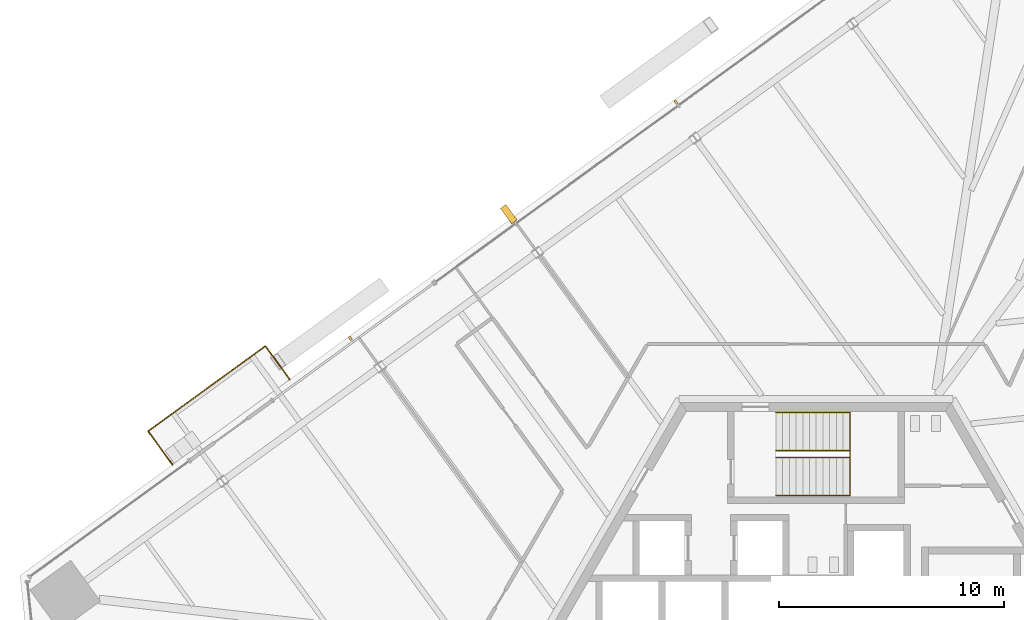
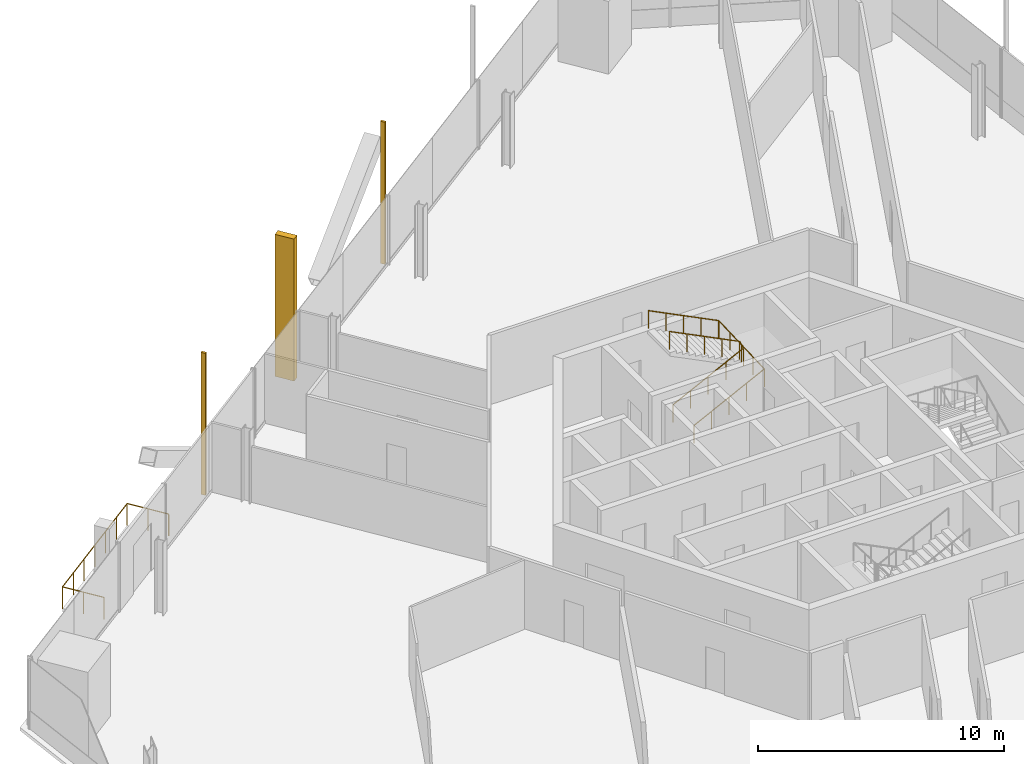
# One storey, part 17 of 21: 3 railings, 3 shading devices.
"""IFC4 building model written with IfcOpenShell, lengths in metres."""

import ifcopenshell
import ifcopenshell.guid

model = None  # the IFC model being written
_history = None  # IfcOwnerHistory: only IFC2X3 demands one
_inside = {}  # id of a spatial element -> (the spatial element, [elements in it])
_under = {}  # id of a project, library or spatial element -> (it, [spatial elements below it])
_declared = {}  # id of a project -> (the project, [libraries it declares])
_typed = {}  # id of a type object -> (the type object, [elements of that type])
_made_of = {}  # id of a material, layer set ... -> (it, [elements and type objects made of it])


def new_model(schema):
    """Start an empty IFC model of exactly this schema.

    Asked for "IFC4X3", IfcOpenShell would pick the latest addendum, in which some entities
    have other attributes; the version numbers below select the first issue.
    IFC2X3 requires an IfcOwnerHistory on every rooted entity: one is made here for all.
    """
    global model, _history
    if schema == "IFC4X3":
        model = ifcopenshell.file(schema_version=(4, 3, 0, 0))
    else:
        model = ifcopenshell.file(schema=schema)
    _inside.clear()
    _under.clear()
    _declared.clear()
    _typed.clear()
    _made_of.clear()
    _history = None
    if model.schema == "IFC2X3":
        org = make("IfcOrganization", Name="unknown")
        user = make(
            "IfcPersonAndOrganization",
            ThePerson=make("IfcPerson", FamilyName="unknown"),
            TheOrganization=org,
        )
        app = make(
            "IfcApplication",
            ApplicationDeveloper=org,
            Version="unknown",
            ApplicationFullName="unknown",
            ApplicationIdentifier="unknown",
        )
        _history = make(
            "IfcOwnerHistory",
            OwningUser=user,
            OwningApplication=app,
            ChangeAction="ADDED",
            CreationDate=0,
        )
    return model


def make(cls, **values):
    """One entity of the class cls with the attributes given. An attribute that is None is left unset."""
    return model.create_entity(
        cls, **{name: value for name, value in values.items() if value is not None}
    )


def rooted(cls, **values):
    """An entity with a GlobalId (a new one), such as an element, a storey or a relation."""
    return make(cls, GlobalId=ifcopenshell.guid.new(), OwnerHistory=_history, **values)


def si_unit(unit_type, name, prefix=None):
    """IfcSIUnit, for example si_unit("LENGTHUNIT", "METRE", prefix="MILLI")."""
    return make("IfcSIUnit", UnitType=unit_type, Prefix=prefix, Name=name)


def assignment(units):
    """IfcUnitAssignment: the units of a project."""
    return None if units is None else make("IfcUnitAssignment", Units=units)


def point(xyz):
    """IfcCartesianPoint."""
    return None if xyz is None else make("IfcCartesianPoint", Coordinates=xyz)


def direction(xyz):
    """IfcDirection."""
    return None if xyz is None else make("IfcDirection", DirectionRatios=xyz)


def frame(location, z_axis=None, x_axis=None):
    """IfcAxis2Placement3D, a coordinate frame: its origin and axes. An axis left out is left unset."""
    return make(
        "IfcAxis2Placement3D",
        Location=point(location),
        Axis=direction(z_axis),
        RefDirection=direction(x_axis),
    )


def frame_2d(location, x_axis=None):
    """IfcAxis2Placement2D, a coordinate frame in the plane: its origin and x axis."""
    return make(
        "IfcAxis2Placement2D", Location=point(location), RefDirection=direction(x_axis)
    )


def origin():
    """The frame at (0, 0, 0) with its axes left unset."""
    return frame((0.0, 0.0, 0.0))


def origin_2d():
    """The frame at (0, 0) in the plane with its x axis left unset."""
    return frame_2d((0.0, 0.0))


def place(relative_to, where):
    """IfcLocalPlacement: puts the frame where relative to a parent placement (None: the world)."""
    return make(
        "IfcLocalPlacement", PlacementRelTo=relative_to, RelativePlacement=where
    )


def context(
    kind, dimensions, precision=None, world=None, true_north=None, identifier=None
):
    """IfcGeometricRepresentationContext, for example the 3D "Model" context."""
    return make(
        "IfcGeometricRepresentationContext",
        ContextIdentifier=identifier,
        ContextType=kind,
        CoordinateSpaceDimension=dimensions,
        Precision=precision,
        WorldCoordinateSystem=world,
        TrueNorth=true_north,
    )


def subcontext(parent, identifier, kind, view, scale=None):
    """IfcGeometricRepresentationSubContext, for example "Body" below "Model"."""
    return make(
        "IfcGeometricRepresentationSubContext",
        ContextIdentifier=identifier,
        ContextType=kind,
        ParentContext=parent,
        TargetScale=scale,
        TargetView=view,
    )


def project(units=None, contexts=None):
    """IfcProject with its units and contexts."""
    return rooted(
        "IfcProject",
        Name="project",
        RepresentationContexts=contexts,
        UnitsInContext=assignment(units),
    )


def spatial(cls, under=None, at=None, **own):
    """A site, building, storey or space (cls), placed at a placement, below another one or the project."""
    s = rooted(cls, ObjectPlacement=at, **own)
    if under is not None:
        _under.setdefault(under.id(), (under, []))[1].append(s)
    return s


def profile(cls, at=None, kind="AREA", **sizes):
    """A parametric profile (cls). Its sizes go by their IFC names, for example OverallWidth=200.0."""
    return make(cls, ProfileType=kind, Position=at, **sizes)


def rectangle(**sizes):
    """IfcRectangleProfileDef."""
    return profile("IfcRectangleProfileDef", **sizes)


def circle(**sizes):
    """IfcCircleProfileDef."""
    return profile("IfcCircleProfileDef", **sizes)


def extrude(swept, where, along, depth):
    """IfcExtrudedAreaSolid: the profile swept, set in the frame where, extruded along a direction by depth."""
    return make(
        "IfcExtrudedAreaSolid",
        SweptArea=swept,
        Position=where,
        ExtrudedDirection=direction(along),
        Depth=depth,
    )


def shape(context_of_items, identifier, shape_type, items):
    """IfcShapeRepresentation: the items that make up one representation, for example the "Body"."""
    return make(
        "IfcShapeRepresentation",
        ContextOfItems=context_of_items,
        RepresentationIdentifier=identifier,
        RepresentationType=shape_type,
        Items=items,
    )


def source(mapping_origin, context_of_items, identifier, shape_type, items):
    """IfcRepresentationMap: a shape defined once, which mapped items show again and again."""
    return make(
        "IfcRepresentationMap",
        MappingOrigin=mapping_origin,
        MappedRepresentation=shape(context_of_items, identifier, shape_type, items),
    )


def transform(
    local_origin,
    x_axis=None,
    y_axis=None,
    z_axis=None,
    scale=None,
    scale2=None,
    scale3=None,
    uniform=True,
):
    """IfcCartesianTransformationOperator3D, or its non-uniform kind. x_axis, y_axis, z_axis: its Axis1, 2, 3."""
    if uniform:
        return make(
            "IfcCartesianTransformationOperator3D",
            Axis1=direction(x_axis),
            Axis2=direction(y_axis),
            LocalOrigin=point(local_origin),
            Scale=scale,
            Axis3=direction(z_axis),
        )
    return make(
        "IfcCartesianTransformationOperator3DnonUniform",
        Axis1=direction(x_axis),
        Axis2=direction(y_axis),
        LocalOrigin=point(local_origin),
        Scale=scale,
        Axis3=direction(z_axis),
        Scale2=scale2,
        Scale3=scale3,
    )


def mapped(mapping_source, mapping_target):
    """IfcMappedItem: shows the shape of a source again, moved by a transform."""
    return make(
        "IfcMappedItem", MappingSource=mapping_source, MappingTarget=mapping_target
    )


def material(Name=None, Category=None):
    """IfcMaterial."""
    return make("IfcMaterial", Name=Name, Category=Category)


def made_of(thing, what):
    """Note that an element or type object is made of a material, layer set ...; save() writes the relation."""
    if what is not None:
        _made_of.setdefault(what.id(), (what, []))[1].append(thing)
    return thing


def type_object(cls, material=None, **own):
    """A type object (cls), such as IfcWallType, which elements share."""
    return made_of(rooted(cls, **own), material)


def element(
    cls,
    number,
    at=None,
    inside=None,
    cuts=None,
    type_object=None,
    material=None,
    context=None,
    identifier="Body",
    shape_type=None,
    held_by="IfcProductDefinitionShape",
    body=None,
    shapes=None,
    **own,
):
    """One element of the class cls, such as IfcWall. Its Tag is "e" and its number.

    at: its placement. inside: the storey or other place that contains it. cuts: it is an
    opening in that element (IfcRelVoidsElement). A single representation is given by context,
    identifier, shape_type and body (its items); several are given by shapes. held_by: the class
    of the entity that holds the representations. save() writes the other relations.
    """
    e = rooted(cls, Tag="e%d" % number, ObjectPlacement=at, **own)
    if body is not None:
        shapes = [shape(context, identifier, shape_type, body)]
    if shapes is not None:
        e.Representation = make(held_by, Representations=shapes)
    if inside is not None:
        _inside.setdefault(inside.id(), (inside, []))[1].append(e)
    if cuts is not None:
        rooted(
            "IfcRelVoidsElement", RelatingBuildingElement=cuts, RelatedOpeningElement=e
        )
    if type_object is not None:
        _typed.setdefault(type_object.id(), (type_object, []))[1].append(e)
    return made_of(e, material)


def aggregate(whole, parts):
    """IfcRelAggregates: a whole, such as a stair, and the parts it consists of."""
    return rooted("IfcRelAggregates", RelatingObject=whole, RelatedObjects=parts)


def save(model, path):
    """Write the relations noted so far, then the file.

    IfcRelAggregates (storeys below a building ...), IfcRelContainedInSpatialStructure (elements
    in a storey), IfcRelDefinesByType, IfcRelAssociatesMaterial and IfcRelDeclares: one each for
    every whole, place, type object, material and project.
    """
    for whole, parts in _under.values():
        aggregate(whole, parts)
    for where, things in _inside.values():
        rooted(
            "IfcRelContainedInSpatialStructure",
            RelatedElements=things,
            RelatingStructure=where,
        )
    for kind, things in _typed.values():
        rooted("IfcRelDefinesByType", RelatedObjects=things, RelatingType=kind)
    for what, things in _made_of.values():
        rooted("IfcRelAssociatesMaterial", RelatedObjects=things, RelatingMaterial=what)
    for by, libraries in _declared.values():
        rooted("IfcRelDeclares", RelatingContext=by, RelatedDefinitions=libraries)
    model.write(path)


model = new_model("IFC4")

# Units and contexts
model_context = context("Model", 3, precision=1e-05, world=origin(), true_north=direction((0.0, 1.0)))
body_context = subcontext(model_context, "Body", "Model", "MODEL_VIEW")
ifc_project = project(units=[si_unit("LENGTHUNIT", "METRE"), si_unit("AREAUNIT", "SQUARE_METRE"), si_unit("VOLUMEUNIT", "CUBIC_METRE"), si_unit("PLANEANGLEUNIT", "RADIAN"), si_unit("MASSUNIT", "GRAM", prefix="KILO")], contexts=[model_context])

# Site, building, storey
site_placement = place(None, origin())
site = spatial("IfcSite", under=ifc_project, at=site_placement, CompositionType="ELEMENT")
building_placement = place(site_placement, origin())
building = spatial("IfcBuilding", under=site, at=building_placement, Name="Triune Harvest Tower", CompositionType="ELEMENT")
storey_placement = place(building_placement, frame((0.0, 0.0, 80.10009765625)))
storey = spatial("IfcBuildingStorey", under=building, at=storey_placement, Name="L19", CompositionType="ELEMENT", Elevation=80.10009765625)

# Railings
ifc_material_1 = material(Name="Glass", Category="glass")
railing_type_1 = type_object("IfcRailingType", Name="GD-2 balcony guard 1100", PredefinedType="GUARDRAIL", material=ifc_material_1)
railing_1_placement = place(storey_placement, frame((-23.422607421875, 11.4091796875, 0.0)))
element("IfcRailing", 1, at=railing_1_placement, inside=storey, type_object=railing_type_1, Name="Balcony guard B2-F3 L19.10", PredefinedType="GUARDRAIL", context=body_context, shape_type="SweptSolid", body=[
    extrude(circle(Radius=0.02392578125, at=origin_2d()), frame((0.0, 0.0, 1.076171875), z_axis=(-0.587841163615, 0.808976369469, 0.0), x_axis=(-0.808976369469, -0.587841163615, 0.0)), (0.0, 0.0, 1.0), 1.8447265625),
    extrude(circle(Radius=0.02392578125, at=origin_2d()), frame((-1.08447265625, 1.492431640625, 1.076171875), z_axis=(-0.809010715799, -0.587793893913, 0.0), x_axis=(0.587793893913, -0.809010715799, 0.0)), (0.0, 0.0, 1.0), 6.456298828125),
    extrude(circle(Radius=0.02392578125, at=origin_2d()), frame((-6.3076171875, -2.302490234375, 1.076171875), z_axis=(0.587754546485, -0.809039302559, 0.0), x_axis=(0.809039302559, 0.587754546485, 0.0)), (0.0, 0.0, 1.0), 1.8447265625),
    extrude(circle(Radius=0.02099609375, at=origin_2d()), origin(), (0.0, 0.0, 1.0), 1.052001953125),
    extrude(circle(Radius=0.02099609375, at=origin_2d()), frame((-0.542236328125, 0.74609375, 0.0)), (0.0, 0.0, 1.0), 1.052001953125),
    extrude(circle(Radius=0.02099609375, at=origin_2d()), frame((-1.08447265625, 1.492431640625, 0.0)), (0.0, 0.0, 1.0), 1.052001953125),
    extrude(circle(Radius=0.02099609375, at=origin_2d()), frame((-1.955078125, 0.85986328125, 0.0)), (0.0, 0.0, 1.0), 1.052001953125),
    extrude(circle(Radius=0.02099609375, at=origin_2d()), frame((-2.825439453125, 0.2275390625, 0.0)), (0.0, 0.0, 1.0), 1.052001953125),
    extrude(circle(Radius=0.02099609375, at=origin_2d()), frame((-3.696044921875, -0.405029296875, 0.0)), (0.0, 0.0, 1.0), 1.052001953125),
    extrude(circle(Radius=0.02099609375, at=origin_2d()), frame((-4.566650390625, -1.03759765625, 0.0)), (0.0, 0.0, 1.0), 1.052001953125),
    extrude(circle(Radius=0.02099609375, at=origin_2d()), frame((-5.43701171875, -1.669921875, 0.0)), (0.0, 0.0, 1.0), 1.052001953125),
    extrude(circle(Radius=0.02099609375, at=origin_2d()), frame((-6.3076171875, -2.302490234375, 0.0)), (0.0, 0.0, 1.0), 1.052001953125),
    extrude(circle(Radius=0.02099609375, at=origin_2d()), frame((-5.765625, -3.048828125, 0.0)), (0.0, 0.0, 1.0), 1.052001953125),
    extrude(circle(Radius=0.02099609375, at=origin_2d()), frame((-5.223388671875, -3.794921875, 0.0)), (0.0, 0.0, 1.0), 1.052001953125),
])
ifc_material_2 = material(Name="Stainless steel AISI 316", Category="steel")
railing_type_2 = type_object("IfcRailingType", Name="Stair handrail", PredefinedType="HANDRAIL", material=ifc_material_2)
shared_shape_1 = source(origin(), body_context, "Body", "SweptSolid", [
    extrude(circle(Radius=0.02392578125, at=origin_2d()), frame((0.0, 0.0, 0.8759765625), z_axis=(0.894440424912, 0.0, 0.447187126696), x_axis=(0.0, 1.0, 0.0)), (0.0, 0.0, 1.0), 3.689453125),
    extrude(circle(Radius=0.02392578125, at=origin_2d()), frame((3.300048828125, 0.0, 2.52587890625), z_axis=(0.0, 0.999177620331, 0.040547293732), x_axis=(-1.0, 0.0, 0.0)), (0.0, 0.0, 1.0), 3.702880859375),
    extrude(circle(Radius=0.02392578125, at=origin_2d()), frame((3.300048828125, 3.699951171875, 2.67578125), z_axis=(-0.894440424912, 0.0, 0.447187126696), x_axis=(0.0, -1.0, 0.0)), (0.0, 0.0, 1.0), 3.689453125),
    extrude(circle(Radius=0.02099609375, at=origin_2d()), origin(), (0.0, 0.0, 1.0), 0.851806640625),
    extrude(circle(Radius=0.02099609375, at=origin_2d()), frame((0.824951171875, 0.0, 0.41259765625)), (0.0, 0.0, 1.0), 0.851806640625),
    extrude(circle(Radius=0.02099609375, at=origin_2d()), frame((1.64990234375, 0.0, 0.824951171875)), (0.0, 0.0, 1.0), 0.851806640625),
    extrude(circle(Radius=0.02099609375, at=origin_2d()), frame((2.47509765625, 0.0, 1.2373046875)), (0.0, 0.0, 1.0), 0.851806640625),
    extrude(circle(Radius=0.02099609375, at=origin_2d()), frame((3.300048828125, 0.0, 1.64990234375)), (0.0, 0.0, 1.0), 0.851806640625),
    extrude(circle(Radius=0.02099609375, at=origin_2d()), frame((3.300048828125, 0.925048828125, 1.6875)), (0.0, 0.0, 1.0), 0.851806640625),
    extrude(circle(Radius=0.02099609375, at=origin_2d()), frame((3.300048828125, 1.85009765625, 1.72509765625)), (0.0, 0.0, 1.0), 0.851806640625),
    extrude(circle(Radius=0.02099609375, at=origin_2d()), frame((3.300048828125, 2.77490234375, 1.762451171875)), (0.0, 0.0, 1.0), 0.851806640625),
    extrude(circle(Radius=0.02099609375, at=origin_2d()), frame((3.300048828125, 3.699951171875, 1.800048828125)), (0.0, 0.0, 1.0), 0.851806640625),
    extrude(circle(Radius=0.02099609375, at=origin_2d()), frame((2.47509765625, 3.699951171875, 2.21240234375)), (0.0, 0.0, 1.0), 0.851806640625),
    extrude(circle(Radius=0.02099609375, at=origin_2d()), frame((1.64990234375, 3.699951171875, 2.625)), (0.0, 0.0, 1.0), 0.851806640625),
    extrude(circle(Radius=0.02099609375, at=origin_2d()), frame((0.824951171875, 3.699951171875, 3.03759765625)), (0.0, 0.0, 1.0), 0.851806640625),
    extrude(circle(Radius=0.02099609375, at=origin_2d()), frame((0.0, 3.699951171875, 3.449951171875)), (0.0, 0.0, 1.0), 0.851806640625),
])
railing_2_placement = place(storey_placement, frame((-1.7900390625, 6.239990234375, 0.14990234375)))
element("IfcRailing", 2, at=railing_2_placement, inside=storey, type_object=railing_type_2, Name="Exit stair north wall handrail", PredefinedType="HANDRAIL", context=body_context, shape_type="MappedRepresentation", body=[
    mapped(shared_shape_1, transform((0.0, 0.0, 0.0), scale=1.0)),
])
shared_shape_2 = source(origin(), body_context, "Body", "SweptSolid", [
    extrude(circle(Radius=0.02392578125, at=origin_2d()), frame((0.0, 0.0, 0.8759765625), z_axis=(0.894440424912, 0.0, 0.447187126696), x_axis=(0.0, 1.0, 0.0)), (0.0, 0.0, 1.0), 3.689453125),
    extrude(circle(Radius=0.02392578125, at=origin_2d()), frame((3.300048828125, 0.0, 2.52587890625), z_axis=(0.0, 0.894281613681, 0.447504631744), x_axis=(-1.0, 0.0, 0.0)), (0.0, 0.0, 1.0), 0.33544921875),
    extrude(circle(Radius=0.02392578125, at=origin_2d()), frame((3.300048828125, 0.300048828125, 2.67578125), z_axis=(-0.894440424912, 0.0, 0.447187126696), x_axis=(0.0, -1.0, 0.0)), (0.0, 0.0, 1.0), 3.689453125),
    extrude(circle(Radius=0.02099609375, at=origin_2d()), origin(), (0.0, 0.0, 1.0), 0.851806640625),
    extrude(circle(Radius=0.02099609375, at=origin_2d()), frame((0.824951171875, 0.0, 0.41259765625)), (0.0, 0.0, 1.0), 0.851806640625),
    extrude(circle(Radius=0.02099609375, at=origin_2d()), frame((1.64990234375, 0.0, 0.824951171875)), (0.0, 0.0, 1.0), 0.851806640625),
    extrude(circle(Radius=0.02099609375, at=origin_2d()), frame((2.47509765625, 0.0, 1.2373046875)), (0.0, 0.0, 1.0), 0.851806640625),
    extrude(circle(Radius=0.02099609375, at=origin_2d()), frame((3.300048828125, 0.0, 1.64990234375)), (0.0, 0.0, 1.0), 0.851806640625),
    extrude(circle(Radius=0.02099609375, at=origin_2d()), frame((3.300048828125, 0.300048828125, 1.800048828125)), (0.0, 0.0, 1.0), 0.851806640625),
    extrude(circle(Radius=0.02099609375, at=origin_2d()), frame((2.47509765625, 0.300048828125, 2.21240234375)), (0.0, 0.0, 1.0), 0.851806640625),
    extrude(circle(Radius=0.02099609375, at=origin_2d()), frame((1.64990234375, 0.300048828125, 2.625)), (0.0, 0.0, 1.0), 0.851806640625),
    extrude(circle(Radius=0.02099609375, at=origin_2d()), frame((0.824951171875, 0.300048828125, 3.03759765625)), (0.0, 0.0, 1.0), 0.851806640625),
    extrude(circle(Radius=0.02099609375, at=origin_2d()), frame((0.0, 0.300048828125, 3.449951171875)), (0.0, 0.0, 1.0), 0.851806640625),
])
railing_3_placement = place(storey_placement, frame((-1.7900390625, 7.93994140625, 0.14990234375)))
element("IfcRailing", 3, at=railing_3_placement, inside=storey, type_object=railing_type_2, Name="Exit stair north centre handrail", PredefinedType="HANDRAIL", context=body_context, shape_type="MappedRepresentation", body=[
    mapped(shared_shape_2, transform((0.0, 0.0, 0.0), scale=1.0)),
])

# Shading devices
ifc_material_3 = material(Name="Aluminium bronze anodised", Category="aluminium")
shared_shape_3 = source(origin(), body_context, "Body", "SweptSolid", [
    extrude(rectangle(XDim=0.10009765625, YDim=0.199951171875, at=origin_2d()), origin(), (0.0, 0.0, 1.0), 7.0400390625),
])
for number, where, z_axis, x_axis, name in (
    (4, (-6.24169921875, 23.768310546875, 0.0), (0.0, 0.0, 1.0), (-0.809017013446, -0.587785226043, 0.0), "FN-1 fin B2-F3.5 L19"),
    (5, (-20.724853515625, 13.24560546875, 0.0), (0.0, 0.0, 1.0), (-0.809017013446, -0.587785226043, 0.0), "FN-1 fin B2-F3.9 L19"),
):
    element("IfcShadingDevice", number, at=place(storey_placement, frame(where, z_axis=z_axis, x_axis=x_axis)), inside=storey, material=ifc_material_3, Name=name, ObjectType="FIN", PredefinedType="USERDEFINED", context=body_context, shape_type="MappedRepresentation", body=[
        mapped(shared_shape_3, transform((0.0, 0.0, 0.0), scale=1.0)),
    ])
shared_shape_4 = source(origin(), body_context, "Body", "SweptSolid", [
    extrude(rectangle(XDim=0.300048828125, YDim=0.85009765625, at=origin_2d()), origin(), (0.0, 0.0, 1.0), 7.0400390625),
])
shading_device_placement = place(storey_placement, frame((-13.67431640625, 18.77001953125, 0.0), z_axis=(0.0, 0.0, 1.0), x_axis=(-0.809017013446, -0.587785226043, 0.0)))
element("IfcShadingDevice", 6, at=shading_device_placement, inside=storey, material=ifc_material_3, Name="FN-2 fin B2-F3.7 L19", ObjectType="FIN", PredefinedType="USERDEFINED", context=body_context, shape_type="MappedRepresentation", body=[
    mapped(shared_shape_4, transform((0.0, 0.0, 0.0), scale=1.0)),
])

save(model, "model.ifc")
